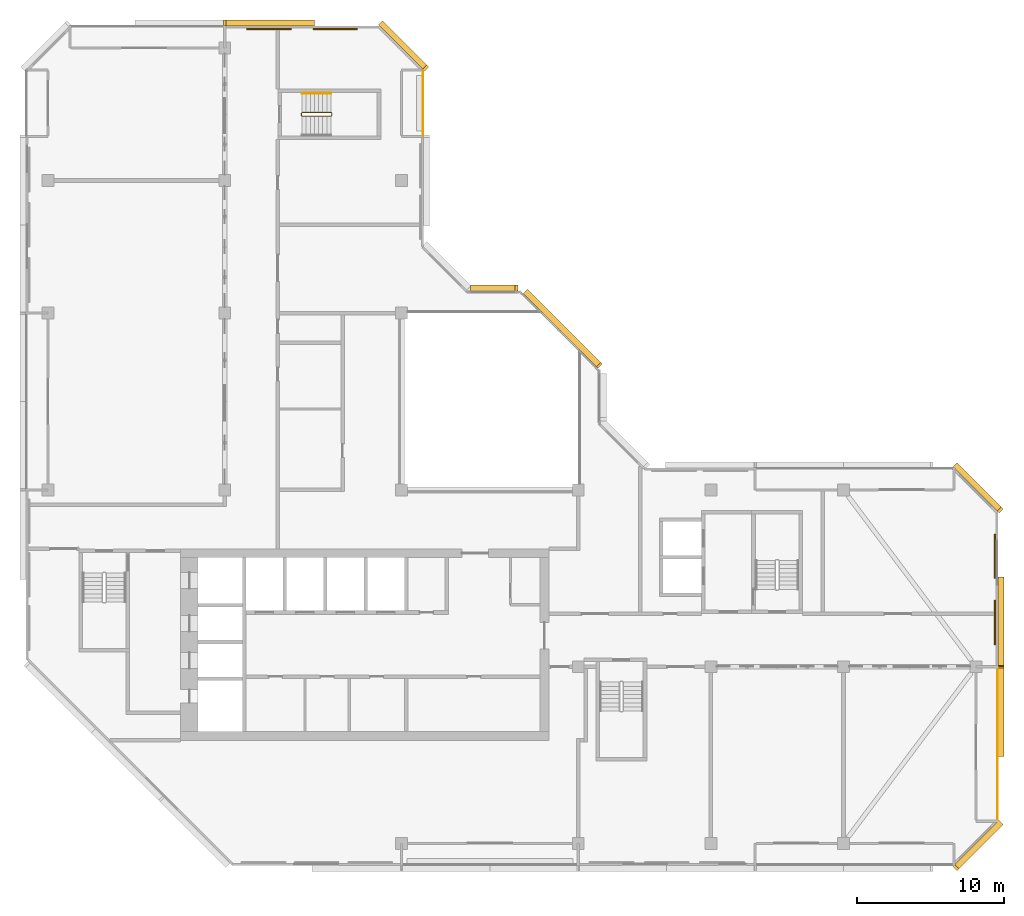
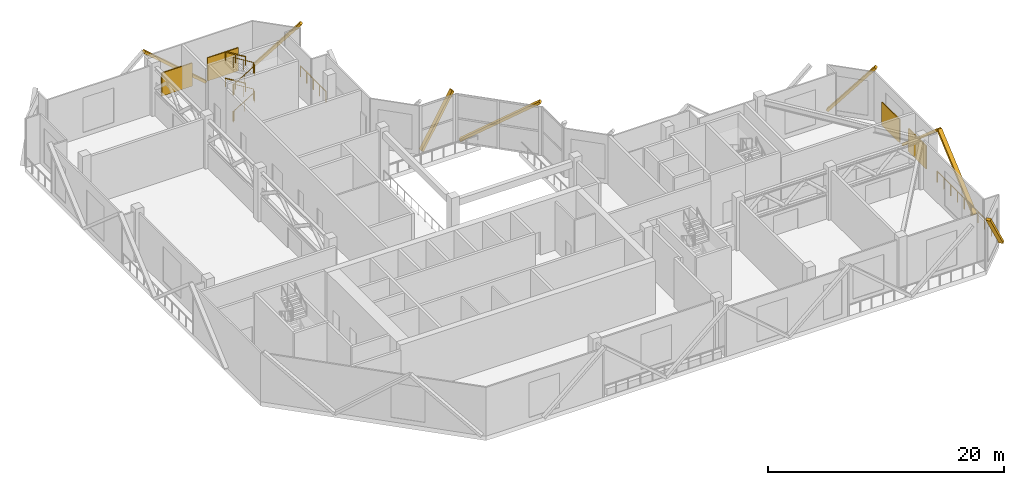
# One storey, part 13 of 13: 8 coverings, 5 railings, 4 shading devices.
"""IFC4 building model written with IfcOpenShell, lengths in metres."""

from ifc_helpers import new_model, si_unit, direction, frame, origin, origin_2d, place, context, subcontext, project, spatial, rectangle, extrude, material, material_profile, profile_set, type_object, element, save


model = new_model("IFC4")

# Units and contexts
model_context = context("Model", 3, precision=1e-05, world=origin(), true_north=direction((0.0, 1.0)))
body_context = subcontext(model_context, "Body", "Model", "MODEL_VIEW")
ifc_project = project(units=[si_unit("LENGTHUNIT", "METRE"), si_unit("AREAUNIT", "SQUARE_METRE"), si_unit("VOLUMEUNIT", "CUBIC_METRE"), si_unit("PLANEANGLEUNIT", "RADIAN"), si_unit("MASSUNIT", "GRAM", prefix="KILO")], contexts=[model_context])

# Site, building, storey
site_placement = place(None, origin())
site = spatial("IfcSite", under=ifc_project, at=site_placement, CompositionType="ELEMENT")
building_placement = place(site_placement, origin())
building = spatial("IfcBuilding", under=site, at=building_placement, Name="Chenar Terraces", CompositionType="ELEMENT")
storey_placement = place(building_placement, frame((0.0, 0.0, 322.14990234375)))
storey = spatial("IfcBuildingStorey", under=building, at=storey_placement, Name="L76", CompositionType="ELEMENT", Elevation=322.14990234375)

# Railings
ifc_material_1 = material(Name="Stainless steel and glass", Category="steel")
railing_type_1 = type_object("IfcRailingType", Name="Loggia guard 1150", PredefinedType="GUARDRAIL", material=ifc_material_1)
railing_1_placement = place(storey_placement, frame((25.449951171875, 48.074951171875, 0.0)))
element("IfcRailing", 1, at=railing_1_placement, inside=storey, type_object=railing_type_1, Name="Loggia guard", PredefinedType="GUARDRAIL", context=body_context, shape_type="SweptSolid", body=[
    extrude(rectangle(XDim=0.048095703125, YDim=0.048095703125, at=origin_2d()), frame((0.0, 0.0, 1.1259765625), z_axis=(0.0, 1.0, 0.0), x_axis=(-1.0, 0.0, 0.0)), (0.0, 0.0, 1.0), 4.35009765625),
    extrude(rectangle(XDim=0.0419921875, YDim=0.0419921875, at=origin_2d()), origin(), (0.0, 0.0, 1.0), 1.101806640625),
    extrude(rectangle(XDim=0.0419921875, YDim=0.0419921875, at=origin_2d()), frame((0.0, 1.08740234375, 0.0)), (0.0, 0.0, 1.0), 1.101806640625),
    extrude(rectangle(XDim=0.0419921875, YDim=0.0419921875, at=origin_2d()), frame((0.0, 2.175048828125, 0.0)), (0.0, 0.0, 1.0), 1.101806640625),
    extrude(rectangle(XDim=0.0419921875, YDim=0.0419921875, at=origin_2d()), frame((0.0, 3.2626953125, 0.0)), (0.0, 0.0, 1.0), 1.101806640625),
    extrude(rectangle(XDim=0.0419921875, YDim=0.0419921875, at=origin_2d()), frame((0.0, 4.35009765625, 0.0)), (0.0, 0.0, 1.0), 1.101806640625),
])
railing_2_placement = place(storey_placement, frame((64.449951171875, 1.574951171875, 0.0)))
element("IfcRailing", 2, at=railing_2_placement, inside=storey, type_object=railing_type_1, Name="Loggia guard", PredefinedType="GUARDRAIL", context=body_context, shape_type="SweptSolid", body=[
    extrude(rectangle(XDim=0.048095703125, YDim=0.048095703125, at=origin_2d()), frame((0.0, 0.0, 1.1259765625), z_axis=(0.0, 1.0, 0.0), x_axis=(-1.0, 0.0, 0.0)), (0.0, 0.0, 1.0), 10.35009765625),
    extrude(rectangle(XDim=0.0419921875, YDim=0.0419921875, at=origin_2d()), origin(), (0.0, 0.0, 1.0), 1.101806640625),
    extrude(rectangle(XDim=0.0419921875, YDim=0.0419921875, at=origin_2d()), frame((0.0, 1.14990234375, 0.0)), (0.0, 0.0, 1.0), 1.101806640625),
    extrude(rectangle(XDim=0.0419921875, YDim=0.0419921875, at=origin_2d()), frame((0.0, 2.300048828125, 0.0)), (0.0, 0.0, 1.0), 1.101806640625),
    extrude(rectangle(XDim=0.0419921875, YDim=0.0419921875, at=origin_2d()), frame((0.0, 3.449951171875, 0.0)), (0.0, 0.0, 1.0), 1.101806640625),
    extrude(rectangle(XDim=0.0419921875, YDim=0.0419921875, at=origin_2d()), frame((0.0, 4.60009765625, 0.0)), (0.0, 0.0, 1.0), 1.101806640625),
    extrude(rectangle(XDim=0.0419921875, YDim=0.0419921875, at=origin_2d()), frame((0.0, 5.75, 0.0)), (0.0, 0.0, 1.0), 1.101806640625),
    extrude(rectangle(XDim=0.0419921875, YDim=0.0419921875, at=origin_2d()), frame((0.0, 6.900146484375, 0.0)), (0.0, 0.0, 1.0), 1.101806640625),
    extrude(rectangle(XDim=0.0419921875, YDim=0.0419921875, at=origin_2d()), frame((0.0, 8.050048828125, 0.0)), (0.0, 0.0, 1.0), 1.101806640625),
    extrude(rectangle(XDim=0.0419921875, YDim=0.0419921875, at=origin_2d()), frame((0.0, 9.2001953125, 0.0)), (0.0, 0.0, 1.0), 1.101806640625),
    extrude(rectangle(XDim=0.0419921875, YDim=0.0419921875, at=origin_2d()), frame((0.0, 10.35009765625, 0.0)), (0.0, 0.0, 1.0), 1.101806640625),
])

# Shading devices
ifc_material_2 = material(Name="Powder-coated steel", Category="steel")
shading_device_type = type_object("IfcShadingDeviceType", Name="Sand-proof louvre bank 3000 x 2400", PredefinedType="USERDEFINED", material=ifc_material_2)
for number, where, z_axis, x_axis, name in (
    (3, (64.300048828125, 15.0, 0.4501953125), (0.0, 0.0, 1.0), (0.0, 1.0, 0.0), "Sand-proof louvre bank"),
    (4, (64.300048828125, 19.5, 0.4501953125), (0.0, 0.0, 1.0), (0.0, 1.0, 0.0), "Sand-proof louvre bank"),
    (5, (19.5, 55.300048828125, 0.4501953125), (0.0, 0.0, 1.0), (-1.0, 0.0, 0.0), "Sand-proof louvre bank"),
    (6, (15.0, 55.300048828125, 0.4501953125), (0.0, 0.0, 1.0), (-1.0, 0.0, 0.0), "Sand-proof louvre bank"),
):
    element("IfcShadingDevice", number, at=place(storey_placement, frame(where, z_axis=z_axis, x_axis=x_axis)), inside=storey, type_object=shading_device_type, Name=name, ObjectType="LOUVRE", PredefinedType="USERDEFINED", context=body_context, shape_type="SweptSolid", body=[
        extrude(rectangle(XDim=3.0, YDim=0.10009765625, at=origin_2d()), origin(), (0.0, 0.0, 1.0), 2.39990234375),
    ])

# Railings
ifc_material_3 = material(Name="Powder-coated steel", Category="steel")
railing_type_2 = type_object("IfcRailingType", Name="Stair guard 1100", PredefinedType="GUARDRAIL", material=ifc_material_3)
railing_3_placement = place(storey_placement, frame((17.25, 49.625, 5.5)))
element("IfcRailing", 7, at=railing_3_placement, inside=storey, type_object=railing_type_2, Name="L76 ST4 stair guard 1", PredefinedType="GUARDRAIL", context=body_context, shape_type="SweptSolid", body=[
    extrude(rectangle(XDim=0.048095703125, YDim=0.048095703125, at=origin_2d()), frame((0.0, 0.0, 1.076171875), z_axis=(0.852240978134, 0.0, -0.523149419562), x_axis=(0.0, 1.0, 0.0)), (0.0, 0.0, 1.0), 2.2998046875),
    extrude(rectangle(XDim=0.048095703125, YDim=0.048095703125, at=origin_2d()), frame((1.9599609375, 0.0, -0.126953125), z_axis=(0.269255725606, -0.269255725606, -0.92466356501), x_axis=(0.707106781187, 0.707106781187, 0.0)), (0.0, 0.0, 1.0), 0.185791015625),
    extrude(rectangle(XDim=0.048095703125, YDim=0.048095703125, at=origin_2d()), frame((2.010009765625, -0.050048828125, -0.298828125), z_axis=(0.0, -1.0, 0.0), x_axis=(1.0, 0.0, 0.0)), (0.0, 0.0, 1.0), 0.14990234375),
    extrude(rectangle(XDim=0.048095703125, YDim=0.048095703125, at=origin_2d()), frame((2.010009765625, -0.199951171875, -0.298828125), z_axis=(-0.707106781187, -0.707106781187, 0.0), x_axis=(0.707106781187, -0.707106781187, 0.0)), (0.0, 0.0, 1.0), 0.07080078125),
    extrude(rectangle(XDim=0.048095703125, YDim=0.048095703125, at=origin_2d()), frame((1.9599609375, -0.25, -0.298828125), z_axis=(-0.852240978134, 0.0, -0.523149419562), x_axis=(0.0, -1.0, 0.0)), (0.0, 0.0, 1.0), 2.2998046875),
    extrude(rectangle(XDim=0.048095703125, YDim=0.048095703125, at=origin_2d()), frame((0.0, -0.25, -1.501953125), z_axis=(-0.186486819998, 0.745037588186, -0.640423030626), x_axis=(-0.970072785993, -0.242814311512, 0.0)), (0.0, 0.0, 1.0), 0.268310546875),
    extrude(rectangle(XDim=0.048095703125, YDim=0.048095703125, at=origin_2d()), frame((-0.050048828125, -0.050048828125, -1.673828125), z_axis=(0.0, -1.0, 0.0), x_axis=(1.0, 0.0, 0.0)), (0.0, 0.0, 1.0), 0.14990234375),
    extrude(rectangle(XDim=0.048095703125, YDim=0.048095703125, at=origin_2d()), frame((-0.050048828125, -0.199951171875, -1.673828125), z_axis=(0.242814311512, 0.970072785993, 0.0), x_axis=(-0.970072785993, 0.242814311512, 0.0)), (0.0, 0.0, 1.0), 0.2060546875),
    extrude(rectangle(XDim=0.048095703125, YDim=0.048095703125, at=origin_2d()), frame((0.0, 0.0, -1.673828125), z_axis=(0.852240978134, 0.0, -0.523149419562), x_axis=(0.0, 1.0, 0.0)), (0.0, 0.0, 1.0), 2.2998046875),
    extrude(rectangle(XDim=0.048095703125, YDim=0.048095703125, at=origin_2d()), frame((1.9599609375, 0.0, -2.876953125), z_axis=(0.269255725606, -0.269255725606, -0.92466356501), x_axis=(0.707106781187, 0.707106781187, 0.0)), (0.0, 0.0, 1.0), 0.185791015625),
    extrude(rectangle(XDim=0.048095703125, YDim=0.048095703125, at=origin_2d()), frame((2.010009765625, -0.050048828125, -3.048828125), z_axis=(0.0, -1.0, 0.0), x_axis=(1.0, 0.0, 0.0)), (0.0, 0.0, 1.0), 0.14990234375),
    extrude(rectangle(XDim=0.048095703125, YDim=0.048095703125, at=origin_2d()), frame((2.010009765625, -0.199951171875, -3.048828125), z_axis=(-0.707106781187, -0.707106781187, 0.0), x_axis=(0.707106781187, -0.707106781187, 0.0)), (0.0, 0.0, 1.0), 0.07080078125),
    extrude(rectangle(XDim=0.048095703125, YDim=0.048095703125, at=origin_2d()), frame((1.9599609375, -0.25, -3.048828125), z_axis=(-0.852240978134, 0.0, -0.523149419562), x_axis=(0.0, -1.0, 0.0)), (0.0, 0.0, 1.0), 2.2998046875),
    extrude(rectangle(XDim=0.048095703125, YDim=0.048095703125, at=origin_2d()), frame((0.0, -0.25, -4.251953125), z_axis=(-0.269255725606, 0.269255725606, -0.92466356501), x_axis=(-0.707106781187, -0.707106781187, 0.0)), (0.0, 0.0, 1.0), 0.185791015625),
    extrude(rectangle(XDim=0.048095703125, YDim=0.048095703125, at=origin_2d()), frame((-0.050048828125, -0.199951171875, -4.423828125), z_axis=(0.0, 1.0, 0.0), x_axis=(-1.0, 0.0, 0.0)), (0.0, 0.0, 1.0), 0.14990234375),
    extrude(rectangle(XDim=0.0419921875, YDim=0.0419921875, at=origin_2d()), origin(), (0.0, 0.0, 1.0), 1.052001953125),
    extrude(rectangle(XDim=0.0419921875, YDim=0.0419921875, at=origin_2d()), frame((0.97998046875, 0.0, -0.6015625)), (0.0, 0.0, 1.0), 1.052001953125),
    extrude(rectangle(XDim=0.0419921875, YDim=0.0419921875, at=origin_2d()), frame((1.9599609375, 0.0, -1.203125)), (0.0, 0.0, 1.0), 1.052001953125),
    extrude(rectangle(XDim=0.0419921875, YDim=0.0419921875, at=origin_2d()), frame((2.010009765625, -0.050048828125, -1.375)), (0.0, 0.0, 1.0), 1.052001953125),
    extrude(rectangle(XDim=0.0419921875, YDim=0.0419921875, at=origin_2d()), frame((2.010009765625, -0.199951171875, -1.375)), (0.0, 0.0, 1.0), 1.052001953125),
    extrude(rectangle(XDim=0.0419921875, YDim=0.0419921875, at=origin_2d()), frame((1.9599609375, -0.25, -1.375)), (0.0, 0.0, 1.0), 1.052001953125),
    extrude(rectangle(XDim=0.0419921875, YDim=0.0419921875, at=origin_2d()), frame((0.97998046875, -0.25, -1.9765625)), (0.0, 0.0, 1.0), 1.052001953125),
    extrude(rectangle(XDim=0.0419921875, YDim=0.0419921875, at=origin_2d()), frame((0.0, -0.25, -2.578125)), (0.0, 0.0, 1.0), 1.052001953125),
    extrude(rectangle(XDim=0.0419921875, YDim=0.0419921875, at=origin_2d()), frame((-0.050048828125, -0.050048828125, -2.75)), (0.0, 0.0, 1.0), 1.052001953125),
    extrude(rectangle(XDim=0.0419921875, YDim=0.0419921875, at=origin_2d()), frame((-0.050048828125, -0.199951171875, -2.75)), (0.0, 0.0, 1.0), 1.052001953125),
    extrude(rectangle(XDim=0.0419921875, YDim=0.0419921875, at=origin_2d()), frame((0.0, 0.0, -2.75)), (0.0, 0.0, 1.0), 1.052001953125),
    extrude(rectangle(XDim=0.0419921875, YDim=0.0419921875, at=origin_2d()), frame((0.97998046875, 0.0, -3.3515625)), (0.0, 0.0, 1.0), 1.052001953125),
    extrude(rectangle(XDim=0.0419921875, YDim=0.0419921875, at=origin_2d()), frame((1.9599609375, 0.0, -3.953125)), (0.0, 0.0, 1.0), 1.052001953125),
    extrude(rectangle(XDim=0.0419921875, YDim=0.0419921875, at=origin_2d()), frame((2.010009765625, -0.050048828125, -4.125)), (0.0, 0.0, 1.0), 1.052001953125),
    extrude(rectangle(XDim=0.0419921875, YDim=0.0419921875, at=origin_2d()), frame((2.010009765625, -0.199951171875, -4.125)), (0.0, 0.0, 1.0), 1.052001953125),
    extrude(rectangle(XDim=0.0419921875, YDim=0.0419921875, at=origin_2d()), frame((1.9599609375, -0.25, -4.125)), (0.0, 0.0, 1.0), 1.052001953125),
    extrude(rectangle(XDim=0.0419921875, YDim=0.0419921875, at=origin_2d()), frame((0.97998046875, -0.25, -4.7265625)), (0.0, 0.0, 1.0), 1.052001953125),
    extrude(rectangle(XDim=0.0419921875, YDim=0.0419921875, at=origin_2d()), frame((0.0, -0.25, -5.328125)), (0.0, 0.0, 1.0), 1.052001953125),
    extrude(rectangle(XDim=0.0419921875, YDim=0.0419921875, at=origin_2d()), frame((-0.050048828125, -0.199951171875, -5.5)), (0.0, 0.0, 1.0), 1.052001953125),
    extrude(rectangle(XDim=0.0419921875, YDim=0.0419921875, at=origin_2d()), frame((-0.050048828125, -0.050048828125, -5.5)), (0.0, 0.0, 1.0), 1.052001953125),
])
ifc_material_4 = material(Name="Powder-coated steel", Category="steel")
railing_type_3 = type_object("IfcRailingType", Name="Stair handrail 900", PredefinedType="HANDRAIL", material=ifc_material_4)
for number, where, name in (
    (8, (19.2099609375, 50.925048828125, 1.546875), "L76 ST4 stair handrail 2"),
    (9, (19.2099609375, 50.925048828125, 4.296875), "L76 ST4 stair handrail 4"),
):
    element("IfcRailing", number, at=place(storey_placement, frame(where)), inside=storey, type_object=railing_type_3, Name=name, PredefinedType="HANDRAIL", context=body_context, shape_type="SweptSolid", body=[
        extrude(rectangle(XDim=0.048095703125, YDim=0.048095703125, at=origin_2d()), frame((0.0, 0.0, 0.8759765625), z_axis=(-0.852240978134, 0.0, 0.523149419562), x_axis=(0.0, -1.0, 0.0)), (0.0, 0.0, 1.0), 2.2998046875),
        extrude(rectangle(XDim=0.0419921875, YDim=0.0419921875, at=origin_2d()), origin(), (0.0, 0.0, 1.0), 0.851806640625),
        extrude(rectangle(XDim=0.0419921875, YDim=0.0419921875, at=origin_2d()), frame((-0.97998046875, 0.0, 0.6015625)), (0.0, 0.0, 1.0), 0.851806640625),
        extrude(rectangle(XDim=0.0419921875, YDim=0.0419921875, at=origin_2d()), frame((-1.9599609375, 0.0, 1.203125)), (0.0, 0.0, 1.0), 0.851806640625),
    ])

# Coverings
ifc_material_5 = material(Name="Terracotta", Category="masonry")
ifc_material_profile = material_profile(ifc_material_5, rectangle(XDim=0.39990234375, YDim=0.25, at=origin_2d()), Name="Terracotta baguette 400 x 250")
ifc_profile_set = profile_set([ifc_material_profile], Name="Terracotta")
covering_type = type_object("IfcCoveringType", Name="Terracotta baguette 400 x 250", PredefinedType="CLADDING", material=ifc_profile_set)
covering_1_placement = place(storey_placement, frame((37.42919921875, 32.45361328125, 5.35009765625), z_axis=(-0.568666868405, 0.568694771587, -0.59430989353), x_axis=(-0.707124128605, -0.707089433343, 0.0)))
element("IfcCovering", 10, at=covering_1_placement, inside=storey, type_object=covering_type, Name="Terracotta baguette", PredefinedType="CLADDING", context=body_context, shape_type="SweptSolid", body=[
    extrude(rectangle(XDim=0.39990234375, YDim=0.25, at=origin_2d()), origin(), (0.0, 0.0, 1.0), 8.74951171875),
])
covering_2_placement = place(storey_placement, frame((31.800048828125, 37.699951171875, 5.35009765625), z_axis=(-0.499725974117, 0.0, -0.866183554908), x_axis=(0.0, -1.0, 0.0)))
element("IfcCovering", 11, at=covering_2_placement, inside=storey, type_object=covering_type, Name="Terracotta baguette", PredefinedType="CLADDING", context=body_context, shape_type="SweptSolid", body=[
    extrude(rectangle(XDim=0.39990234375, YDim=0.25, at=origin_2d()), origin(), (0.0, 0.0, 1.0), 6.003173828125),
])
covering_3_placement = place(storey_placement, frame((25.641357421875, 52.641357421875, 5.35009765625), z_axis=(-0.447017486301, 0.447017486301, -0.774823033913), x_axis=(-0.707106781187, -0.707106781187, 0.0)))
element("IfcCovering", 12, at=covering_3_placement, inside=storey, type_object=covering_type, Name="Terracotta baguette", PredefinedType="CLADDING", context=body_context, shape_type="SweptSolid", body=[
    extrude(rectangle(XDim=0.39990234375, YDim=0.25, at=origin_2d()), origin(), (0.0, 0.0, 1.0), 6.711181640625),
])
covering_4_placement = place(storey_placement, frame((18.0, 55.699951171875, 0.150146484375), z_axis=(-0.755692126483, 0.0, 0.654927026447), x_axis=(0.0, -1.0, 0.0)))
element("IfcCovering", 13, at=covering_4_placement, inside=storey, type_object=covering_type, Name="Terracotta baguette", PredefinedType="CLADDING", context=body_context, shape_type="SweptSolid", body=[
    extrude(rectangle(XDim=0.39990234375, YDim=0.25, at=origin_2d()), origin(), (0.0, 0.0, 1.0), 7.939697265625),
])
covering_5_placement = place(storey_placement, frame((61.641357421875, -1.641357421875, 5.35009765625), z_axis=(0.447017486301, 0.447017486301, -0.774823033913), x_axis=(-0.707106781187, 0.707106781187, 0.0)))
element("IfcCovering", 14, at=covering_5_placement, inside=storey, type_object=covering_type, Name="Terracotta baguette", PredefinedType="CLADDING", context=body_context, shape_type="SweptSolid", body=[
    extrude(rectangle(XDim=0.39990234375, YDim=0.25, at=origin_2d()), origin(), (0.0, 0.0, 1.0), 6.711181640625),
])
for number, where, z_axis, x_axis, name in (
    (15, (64.699951171875, 6.0, 0.150146484375), (0.0, 0.755692126483, 0.654927026447), (-1.0, 0.0, 0.0), "Terracotta baguette"),
    (16, (64.699951171875, 12.0, 5.35009765625), (0.0, 0.755692126483, -0.654927026447), (-1.0, 0.0, 0.0), "Terracotta baguette"),
):
    element("IfcCovering", number, at=place(storey_placement, frame(where, z_axis=z_axis, x_axis=x_axis)), inside=storey, type_object=covering_type, Name=name, PredefinedType="CLADDING", context=body_context, shape_type="SweptSolid", body=[
        extrude(rectangle(XDim=0.39990234375, YDim=0.25, at=origin_2d()), origin(), (0.0, 0.0, 1.0), 7.939697265625),
    ])
covering_6_placement = place(storey_placement, frame((64.641357421875, 22.641357421875, 5.35009765625), z_axis=(-0.447017486301, 0.447017486301, -0.774823033913), x_axis=(-0.707106781187, -0.707106781187, 0.0)))
element("IfcCovering", 17, at=covering_6_placement, inside=storey, type_object=covering_type, Name="Terracotta baguette", PredefinedType="CLADDING", context=body_context, shape_type="SweptSolid", body=[
    extrude(rectangle(XDim=0.39990234375, YDim=0.25, at=origin_2d()), origin(), (0.0, 0.0, 1.0), 6.711181640625),
])

save(model, "model.ifc")
